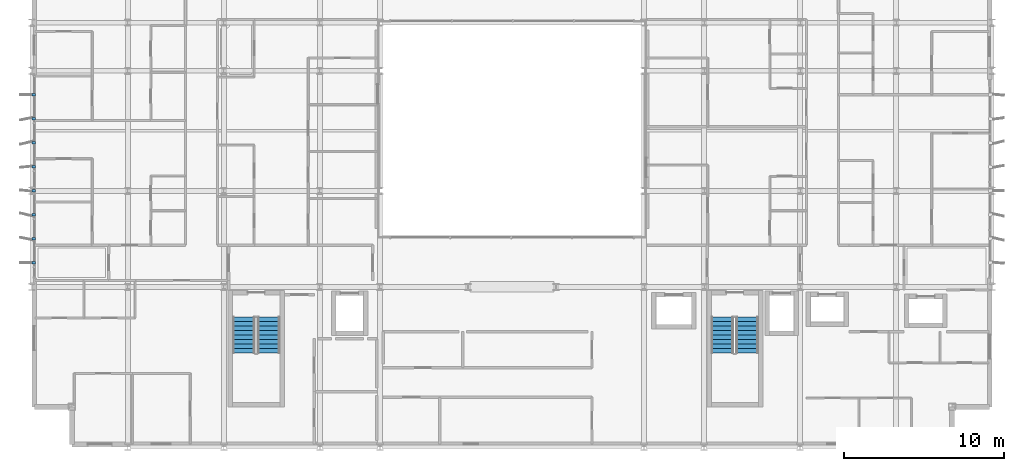
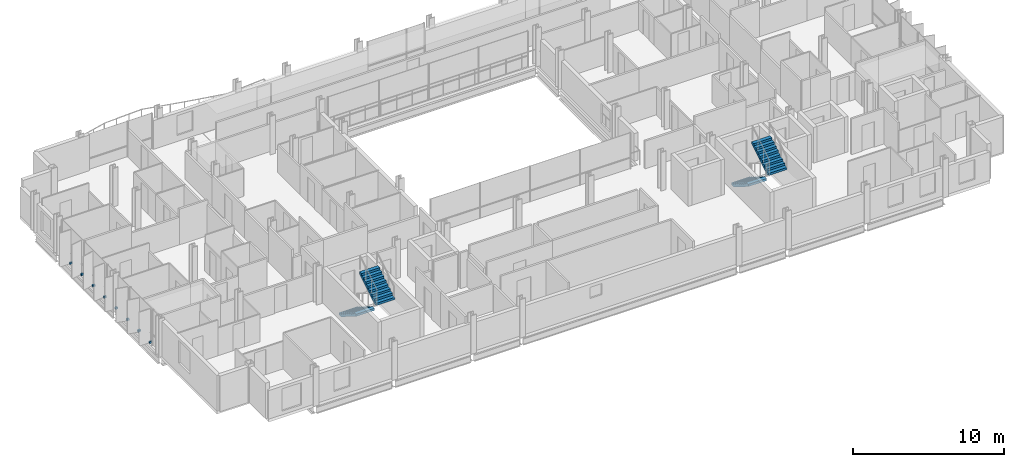
# One storey, part 33 of 38: 8 discrete accessories, 4 stair flights, 2 elements without a shape of their own.
"""IFC4 building model written with IfcOpenShell, lengths in metres."""

from ifc_helpers import new_model, si_unit, direction, frame, origin, origin_2d, place, context, subcontext, project, spatial, polyline, rectangle, outline, extrude, material, layer, layer_set, type_object, element, aggregate, save


model = new_model("IFC4")

# Units and contexts
model_context = context("Model", 3, precision=1e-05, world=origin(), true_north=direction((0.0, 1.0)))
body_context = subcontext(model_context, "Body", "Model", "MODEL_VIEW")
ifc_project = project(units=[si_unit("LENGTHUNIT", "METRE"), si_unit("AREAUNIT", "SQUARE_METRE"), si_unit("VOLUMEUNIT", "CUBIC_METRE"), si_unit("PLANEANGLEUNIT", "RADIAN"), si_unit("MASSUNIT", "GRAM", prefix="KILO")], contexts=[model_context])

# Site, building, storey
site_placement = place(None, origin())
site = spatial("IfcSite", under=ifc_project, at=site_placement, CompositionType="ELEMENT")
building_placement = place(site_placement, origin())
building = spatial("IfcBuilding", under=site, at=building_placement, Name="Brevholm Reach", CompositionType="ELEMENT")
storey_placement = place(building_placement, frame((0.0, 0.0, 65.199951171875)))
storey = spatial("IfcBuildingStorey", under=building, at=storey_placement, Name="L18", CompositionType="ELEMENT", Elevation=65.199951171875)

# Stair, stair flights
ifc_material_1 = material(Name="Precast Concrete C40/50", Category="concrete")
stair_type = type_object("IfcStairType", Name="STR-ESC-1400", PredefinedType="DOUBLE_RETURN_STAIR", material=ifc_material_1)
stair_1_placement = place(storey_placement, origin())
stair_1 = element("IfcStair", 1, at=stair_1_placement, inside=storey, type_object=stair_type, Name="L18 ST-1", PredefinedType="DOUBLE_RETURN_STAIR")
ifc_material_2 = material(Name="Precast Concrete C40/50", Category="concrete")
ifc_layer = layer(ifc_material_2, 0.18505859375)
ifc_layer_set = layer_set([ifc_layer], Name="Precast Concrete C40/50")
stair_flight_type = type_object("IfcStairFlightType", Name="STF-PRC-185", PredefinedType="STRAIGHT", material=ifc_layer_set)
stair_flight_1_placement = place(storey_placement, frame((13.25, 8.10009765625, 0.0), z_axis=(0.0, 0.0, 1.0), x_axis=(0.0, -1.0, 0.0)))
stair_flight_1 = element("IfcStairFlight", 2, at=stair_flight_1_placement, type_object=stair_flight_type, Name="ST-1 flight 1", NumberOfRisers=9, NumberOfTreads=8, PredefinedType="STRAIGHT", RiserHeight=0.172222222, TreadLength=0.28, context=body_context, shape_type="SweptSolid", body=[
    extrude(outline(polyline([(0.0, 0.0), (0.0, 0.172119140625), (0.280029296875, 0.172119140625), (0.280029296875, 0.344482421875), (0.56005859375, 0.344482421875), (0.56005859375, 0.5166015625), (0.840087890625, 0.5166015625), (0.840087890625, 0.68896484375), (1.1201171875, 0.68896484375), (1.1201171875, 0.861083984375), (1.39990234375, 0.861083984375), (1.39990234375, 1.033447265625), (1.679931640625, 1.033447265625), (1.679931640625, 1.20556640625), (1.9599609375, 1.20556640625), (1.9599609375, 1.377685546875), (2.239990234375, 1.377685546875), (2.239990234375, 1.550048828125), (2.239990234375, 1.201904296875), (0.2861328125, 0.0), (0.0, 0.0)])), frame((0.0, 0.699951171875, 0.0), z_axis=(0.0, -1.0, 0.0), x_axis=(1.0, 0.0, 0.0)), (0.0, 0.0, 1.0), 1.39990234375),
])
stair_flight_2_placement = place(storey_placement, frame((14.800048828125, 5.860107421875, 1.550048828125), z_axis=(0.0, 0.0, 1.0), x_axis=(0.0, 1.0, 0.0)))
stair_flight_2 = element("IfcStairFlight", 3, at=stair_flight_2_placement, type_object=stair_flight_type, Name="ST-1 flight 2", NumberOfRisers=9, NumberOfTreads=8, PredefinedType="STRAIGHT", RiserHeight=0.172222222, TreadLength=0.28, context=body_context, shape_type="SweptSolid", body=[
    extrude(outline(polyline([(0.0, 0.0), (0.0, 0.172119140625), (0.280029296875, 0.172119140625), (0.280029296875, 0.344482421875), (0.56005859375, 0.344482421875), (0.56005859375, 0.5166015625), (0.840087890625, 0.5166015625), (0.840087890625, 0.68896484375), (1.1201171875, 0.68896484375), (1.1201171875, 0.861083984375), (1.39990234375, 0.861083984375), (1.39990234375, 1.033447265625), (1.679931640625, 1.033447265625), (1.679931640625, 1.20556640625), (1.9599609375, 1.20556640625), (1.9599609375, 1.377685546875), (2.239990234375, 1.377685546875), (2.239990234375, 1.550048828125), (2.239990234375, 1.201904296875), (0.2861328125, 0.0), (0.0, 0.0)])), frame((0.0, 0.699951171875, 0.0), z_axis=(0.0, -1.0, 0.0), x_axis=(1.0, 0.0, 0.0)), (0.0, 0.0, 1.0), 1.39990234375),
])
aggregate(stair_1, [stair_flight_1, stair_flight_2])

stair_2_placement = place(storey_placement, origin())
stair_2 = element("IfcStair", 4, at=stair_2_placement, inside=storey, type_object=stair_type, Name="L18 ST-2", PredefinedType="DOUBLE_RETURN_STAIR")
stair_flight_3_placement = place(storey_placement, frame((43.14990234375, 8.10009765625, 0.0), z_axis=(0.0, 0.0, 1.0), x_axis=(0.0, -1.0, 0.0)))
stair_flight_3 = element("IfcStairFlight", 5, at=stair_flight_3_placement, type_object=stair_flight_type, Name="ST-2 flight 1", NumberOfRisers=9, NumberOfTreads=8, PredefinedType="STRAIGHT", RiserHeight=0.172222222, TreadLength=0.28, context=body_context, shape_type="SweptSolid", body=[
    extrude(outline(polyline([(0.0, 0.0), (0.0, 0.172119140625), (0.280029296875, 0.172119140625), (0.280029296875, 0.344482421875), (0.56005859375, 0.344482421875), (0.56005859375, 0.5166015625), (0.840087890625, 0.5166015625), (0.840087890625, 0.68896484375), (1.1201171875, 0.68896484375), (1.1201171875, 0.861083984375), (1.39990234375, 0.861083984375), (1.39990234375, 1.033447265625), (1.679931640625, 1.033447265625), (1.679931640625, 1.20556640625), (1.9599609375, 1.20556640625), (1.9599609375, 1.377685546875), (2.239990234375, 1.377685546875), (2.239990234375, 1.550048828125), (2.239990234375, 1.201904296875), (0.2861328125, 0.0), (0.0, 0.0)])), frame((0.0, 0.699951171875, 0.0), z_axis=(0.0, -1.0, 0.0), x_axis=(1.0, 0.0, 0.0)), (0.0, 0.0, 1.0), 1.39990234375),
])
stair_flight_4_placement = place(storey_placement, frame((44.699951171875, 5.860107421875, 1.550048828125), z_axis=(0.0, 0.0, 1.0), x_axis=(0.0, 1.0, 0.0)))
stair_flight_4 = element("IfcStairFlight", 6, at=stair_flight_4_placement, type_object=stair_flight_type, Name="ST-2 flight 2", NumberOfRisers=9, NumberOfTreads=8, PredefinedType="STRAIGHT", RiserHeight=0.172222222, TreadLength=0.28, context=body_context, shape_type="SweptSolid", body=[
    extrude(outline(polyline([(0.0, 0.0), (0.0, 0.172119140625), (0.280029296875, 0.172119140625), (0.280029296875, 0.344482421875), (0.56005859375, 0.344482421875), (0.56005859375, 0.5166015625), (0.840087890625, 0.5166015625), (0.840087890625, 0.68896484375), (1.1201171875, 0.68896484375), (1.1201171875, 0.861083984375), (1.39990234375, 0.861083984375), (1.39990234375, 1.033447265625), (1.679931640625, 1.033447265625), (1.679931640625, 1.20556640625), (1.9599609375, 1.20556640625), (1.9599609375, 1.377685546875), (2.239990234375, 1.377685546875), (2.239990234375, 1.550048828125), (2.239990234375, 1.201904296875), (0.2861328125, 0.0), (0.0, 0.0)])), frame((0.0, 0.699951171875, 0.0), z_axis=(0.0, -1.0, 0.0), x_axis=(1.0, 0.0, 0.0)), (0.0, 0.0, 1.0), 1.39990234375),
])
aggregate(stair_2, [stair_flight_3, stair_flight_4])

# Discrete accessories
ifc_material_3 = material(Name="Duplex Stainless Steel EN 1.4462", Category="steel")
discrete_accessory_type = type_object("IfcDiscreteAccessoryType", Name="ACC-BRK-01", PredefinedType="BRACKET", material=ifc_material_3)
for number, where, z_axis, x_axis, name in (
    (7, (0.1201171875, 11.5, 0.0302734375), (0.0, 0.0, 1.0), (-1.0, 0.0, 0.0), "L18 Solar Screen Support Bracket 1"),
    (8, (0.1201171875, 13.0, 0.0302734375), (0.0, 0.0, 1.0), (-1.0, 0.0, 0.0), "L18 Solar Screen Support Bracket 2"),
    (9, (0.1201171875, 14.5, 0.0302734375), (0.0, 0.0, 1.0), (-1.0, 0.0, 0.0), "L18 Solar Screen Support Bracket 3"),
    (10, (0.1201171875, 16.0, 0.0302734375), (0.0, 0.0, 1.0), (-1.0, 0.0, 0.0), "L18 Solar Screen Support Bracket 4"),
    (11, (0.1201171875, 17.5, 0.0302734375), (0.0, 0.0, 1.0), (-1.0, 0.0, 0.0), "L18 Solar Screen Support Bracket 5"),
    (12, (0.1201171875, 19.0, 0.0302734375), (0.0, 0.0, 1.0), (-1.0, 0.0, 0.0), "L18 Solar Screen Support Bracket 6"),
    (13, (0.1201171875, 20.5, 0.0302734375), (0.0, 0.0, 1.0), (-1.0, 0.0, 0.0), "L18 Solar Screen Support Bracket 7"),
    (14, (0.1201171875, 22.0, 0.0302734375), (0.0, 0.0, 1.0), (-1.0, 0.0, 0.0), "L18 Solar Screen Support Bracket 8"),
):
    element("IfcDiscreteAccessory", number, at=place(storey_placement, frame(where, z_axis=z_axis, x_axis=x_axis)), inside=storey, type_object=discrete_accessory_type, Name=name, PredefinedType="BRACKET", context=body_context, shape_type="SweptSolid", body=[
        extrude(rectangle(XDim=0.199951171875, YDim=0.139892578125, at=origin_2d()), origin(), (0.0, 0.0, 1.0), 0.139892578125),
    ])

save(model, "model.ifc")
